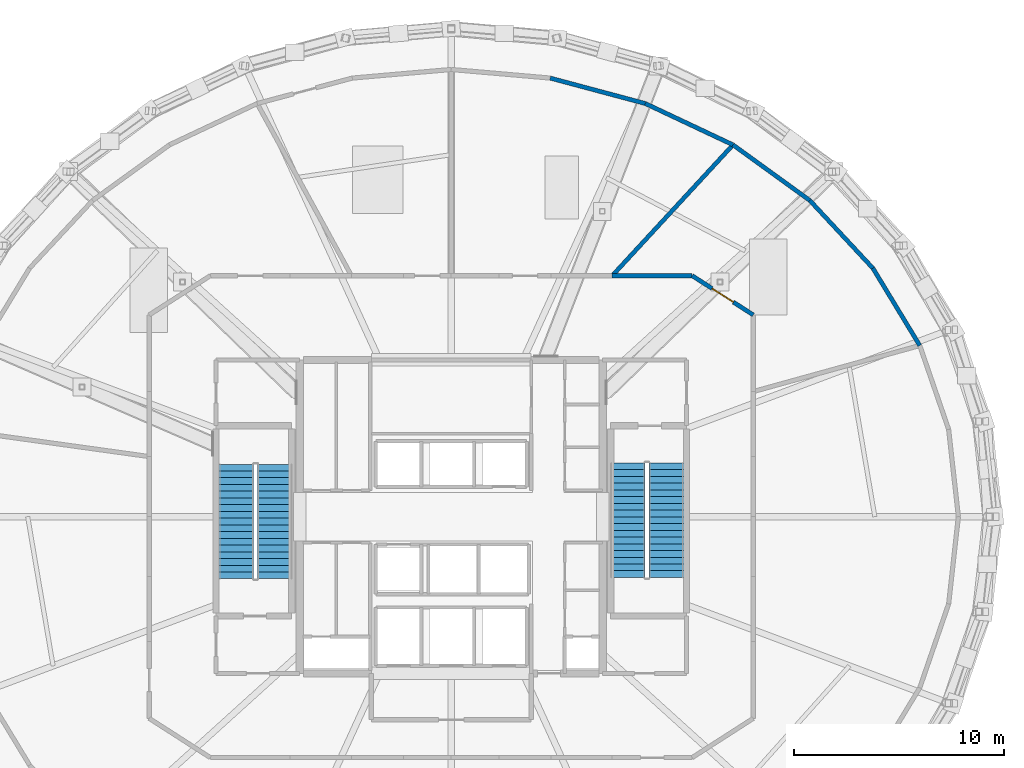
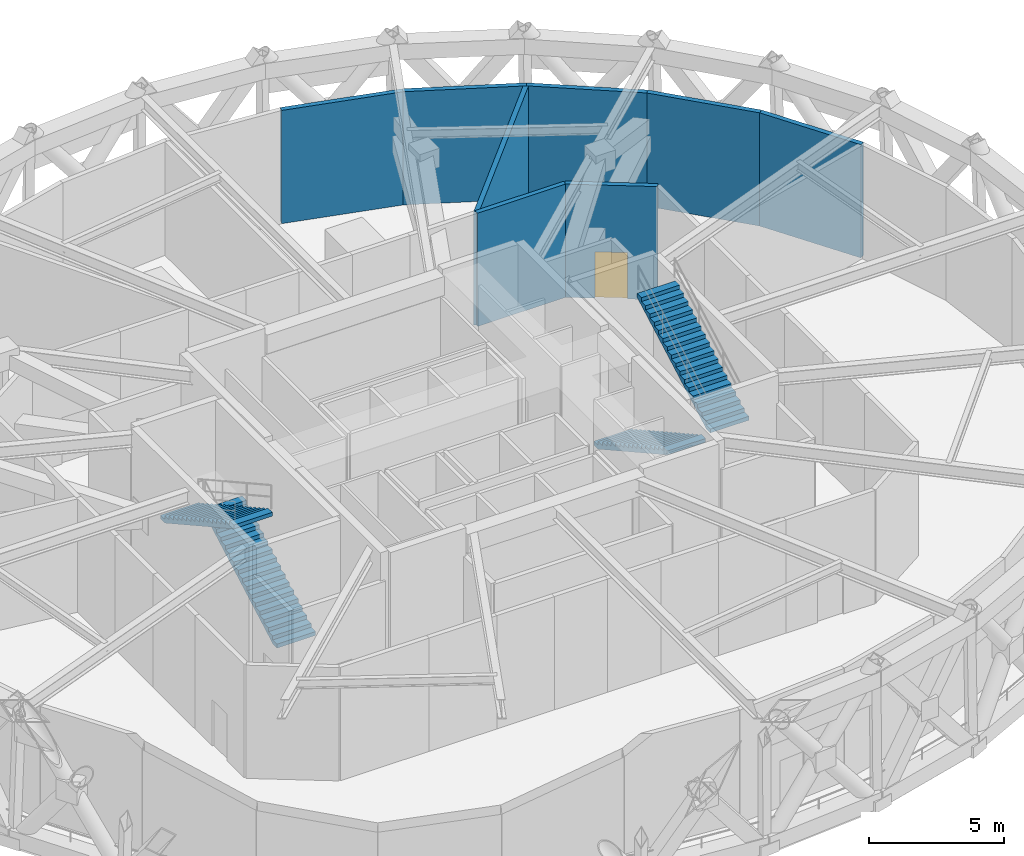
# One storey, part 11 of 15: 8 walls, 4 stair flights, 1 door, 1 opening, 2 elements without a shape of their own.
"""IFC4 building model written with IfcOpenShell, lengths in metres."""

from ifc_helpers import new_model, si_unit, direction, frame, frame_2d, origin, place, context, subcontext, project, spatial, polyline, rectangle, outline, extrude, material, layer, layer_set, type_object, element, fill, aggregate, save


model = new_model("IFC4")

# Units and contexts
model_context = context("Model", 3, precision=1e-05, world=origin(), true_north=direction((0.0, 1.0)))
body_context = subcontext(model_context, "Body", "Model", "MODEL_VIEW")
ifc_project = project(units=[si_unit("LENGTHUNIT", "METRE"), si_unit("AREAUNIT", "SQUARE_METRE"), si_unit("VOLUMEUNIT", "CUBIC_METRE"), si_unit("PLANEANGLEUNIT", "RADIAN"), si_unit("MASSUNIT", "GRAM", prefix="KILO")], contexts=[model_context])

# Site, building, storey
site_placement = place(None, origin())
site = spatial("IfcSite", under=ifc_project, at=site_placement, CompositionType="ELEMENT")
building_placement = place(site_placement, origin())
building = spatial("IfcBuilding", under=site, at=building_placement, Name="Veldorina Hangang Commons", CompositionType="ELEMENT")
storey_placement = place(building_placement, frame((0.0, 0.0, 208.39990234375)))
storey = spatial("IfcBuildingStorey", under=building, at=storey_placement, Name="L54", CompositionType="ELEMENT", Elevation=208.39990234375)

# Walls
ifc_material_1 = material(Name="Concrete Blockwork Fire Wall C30/37", Category="masonry")
ifc_layer = layer(ifc_material_1, 0.199951171875)
ifc_layer_set = layer_set([ifc_layer], Name="Concrete Blockwork Fire Wall C30/37")
wall_type = type_object("IfcWallType", Name="WL-FIRE-200", PredefinedType="SOLIDWALL", material=ifc_layer_set)
wall_1_placement = place(storey_placement, frame((54.265380859375, 32.132080078125, 0.0), z_axis=(0.0, 0.0, 1.0), x_axis=(-0.518384837447, 0.855147449452, 0.0)))
element("IfcWall", 1, at=wall_1_placement, inside=storey, type_object=wall_type, Name="L54 L54 wind-floor compartment wall 02 054", PredefinedType="SOLIDWALL", context=body_context, shape_type="SweptSolid", body=[
    extrude(rectangle(XDim=4.296142578125, YDim=0.199951171875, at=frame_2d((2.14794921875, 0.0))), origin(), (0.0, 0.0, 1.0), 5.130126953125),
])
wall_2_placement = place(storey_placement, frame((52.038330078125, 35.805908203125, 0.0), z_axis=(0.0, 0.0, 1.0), x_axis=(-0.681317030747, 0.731988458661, 0.0)))
element("IfcWall", 2, at=wall_2_placement, inside=storey, type_object=wall_type, Name="L54 L54 wind-floor compartment wall 03 055", PredefinedType="SOLIDWALL", context=body_context, shape_type="SweptSolid", body=[
    extrude(rectangle(XDim=4.39892578125, YDim=0.199951171875, at=frame_2d((2.199462890625, 0.0))), origin(), (0.0, 0.0, 1.0), 5.130126953125),
])
wall_3_placement = place(storey_placement, frame((49.041259765625, 39.02587890625, 0.0), z_axis=(0.0, 0.0, 1.0), x_axis=(-0.810131923704, 0.586247615088, 0.0)))
element("IfcWall", 3, at=wall_3_placement, inside=storey, type_object=wall_type, Name="L54 L54 wind-floor compartment wall 04 056", PredefinedType="SOLIDWALL", context=body_context, shape_type="SweptSolid", body=[
    extrude(rectangle(XDim=4.508056640625, YDim=0.199951171875, at=frame_2d((2.25390625, 0.0))), origin(), (0.0, 0.0, 1.0), 5.130126953125),
])
wall_4_placement = place(storey_placement, frame((45.38916015625, 41.668701171875, 0.0), z_axis=(0.0, 0.0, 1.0), x_axis=(-0.904574703116, 0.426315149253, 0.0)))
element("IfcWall", 4, at=wall_4_placement, inside=storey, type_object=wall_type, Name="L54 L54 wind-floor compartment wall 05 057", PredefinedType="SOLIDWALL", context=body_context, shape_type="SweptSolid", body=[
    extrude(rectangle(XDim=4.60595703125, YDim=0.199951171875, at=frame_2d((2.302978515625, 0.0))), origin(), (0.0, 0.0, 1.0), 5.130126953125),
])
wall_5_placement = place(storey_placement, frame((41.22265625, 43.63232421875, 0.0), z_axis=(0.0, 0.0, 1.0), x_axis=(-0.9660285601, 0.258435332473, 0.0)))
element("IfcWall", 5, at=wall_5_placement, inside=storey, type_object=wall_type, Name="L54 L54 wind-floor compartment wall 06 058", PredefinedType="SOLIDWALL", context=body_context, shape_type="SweptSolid", body=[
    extrude(rectangle(XDim=4.679931640625, YDim=0.199951171875, at=frame_2d((2.33984375, 0.0))), origin(), (0.0, 0.0, 1.0), 5.130126953125),
])

# Wall, opening, door
wall_6_placement = place(storey_placement, frame((46.35009765625, 33.58837890625, 0.0), z_axis=(0.0, 0.0, 1.0), x_axis=(-0.841548863049, 0.540180998464, 0.0)))
wall_6 = element("IfcWall", 6, at=wall_6_placement, inside=storey, type_object=wall_type, Name="L54 Plant corridor wall 03 087", PredefinedType="SOLIDWALL", context=body_context, shape_type="SweptSolid", body=[
    extrude(rectangle(XDim=3.4462890625, YDim=0.199951171875, at=frame_2d((1.72314453125, 0.0))), origin(), (0.0, 0.0, 1.0), 5.130126953125),
])
opening_placement = place(wall_6_placement, frame((1.123046875, 0.0, 0.0)))
opening = element("IfcOpeningElement", 7, at=opening_placement, cuts=wall_6, Name="Opening D-10", PredefinedType="OPENING", context=body_context, shape_type="SweptSolid", body=[
    extrude(rectangle(XDim=1.199951171875, YDim=2.10009765625, at=frame_2d((0.60009765625, 1.050048828125))), frame((0.0, 0.10986328125, 0.0), z_axis=(0.0, -1.0, 0.0), x_axis=(1.0, 0.0, 0.0)), (0.0, 0.0, 1.0), 0.219970703125),
])
ifc_material_2 = material(Name="Steel Heavy-Duty Acoustic Plant", Category="steel")
door_type = type_object("IfcDoorType", Name="DR-PLANT-1200", OperationType="SINGLE_SWING_RIGHT", PredefinedType="DOOR", material=ifc_material_2)
door_placement = place(opening_placement, origin())
door = element("IfcDoor", 8, at=door_placement, inside=storey, type_object=door_type, Name="L54 Chiller and Heat Exchanger Plant Room door 028", OperationType="SINGLE_SWING_RIGHT", OverallHeight=2.10009765625, OverallWidth=1.199951171875, PredefinedType="DOOR", context=body_context, shape_type="SweptSolid", body=[
    extrude(rectangle(XDim=1.199951171875, YDim=2.10009765625, at=frame_2d((0.60009765625, 1.050048828125))), frame((0.0, 0.02490234375, 0.0), z_axis=(0.0, -1.0, 0.0), x_axis=(1.0, 0.0, 0.0)), (0.0, 0.0, 1.0), 0.050048828125),
])
fill(opening, door)

# Walls
wall_7_placement = place(storey_placement, frame((43.449951171875, 35.449951171875, 0.0), z_axis=(0.0, 0.0, 1.0), x_axis=(-1.0, 0.0, 0.0)))
element("IfcWall", 9, at=wall_7_placement, inside=storey, type_object=wall_type, Name="L54 Plant corridor wall 04 088", PredefinedType="SOLIDWALL", context=body_context, shape_type="SweptSolid", body=[
    extrude(rectangle(XDim=3.79931640625, YDim=0.199951171875, at=frame_2d((1.899658203125, 0.0))), origin(), (0.0, 0.0, 1.0), 5.130126953125),
])
wall_8_placement = place(storey_placement, frame((39.650634765625, 35.449951171875, 0.0), z_axis=(0.0, 0.0, 1.0), x_axis=(0.678161460471, 0.734912942825, 0.0)))
element("IfcWall", 10, at=wall_8_placement, inside=storey, type_object=wall_type, Name="L54 Air Handling Unit Mechanical Plant Room divider 118", PredefinedType="SOLIDWALL", context=body_context, shape_type="SweptSolid", body=[
    extrude(rectangle(XDim=8.4619140625, YDim=0.199951171875, at=frame_2d((4.23095703125, 0.0))), origin(), (0.0, 0.0, 1.0), 5.130126953125),
])

# Stair, stair flights
ifc_material_3 = material(Name="Concrete C40/50", Category="concrete")
stair_type = type_object("IfcStairType", Name="STR-DOG-1650-36R", PredefinedType="HALF_TURN_STAIR", material=ifc_material_3)
stair_1_placement = place(storey_placement, origin())
stair_1 = element("IfcStair", 11, at=stair_1_placement, inside=storey, type_object=stair_type, Name="L54 Exit stair ST-1", PredefinedType="HALF_TURN_STAIR")
stair_flight_type = type_object("IfcStairFlightType", Name="SFL-STR-1650-36R", PredefinedType="STRAIGHT", material=ifc_material_3)
stair_flight_1_placement = place(storey_placement, frame((23.625, 21.050048828125, 0.0), z_axis=(0.0, 0.0, 1.0), x_axis=(0.0, 1.0, 0.0)))
stair_flight_1 = element("IfcStairFlight", 12, at=stair_flight_1_placement, type_object=stair_flight_type, Name="ST-1 flight 1", NumberOfRisers=18, NumberOfTreads=17, PredefinedType="STRAIGHT", RiserHeight=0.177777778, TreadLength=0.32, context=body_context, shape_type="SweptSolid", body=[
    extrude(outline(polyline([(0.0, 0.0), (0.0, 0.177734375), (0.320068359375, 0.177734375), (0.320068359375, 0.35546875), (0.639892578125, 0.35546875), (0.639892578125, 0.533447265625), (0.9599609375, 0.533447265625), (0.9599609375, 0.711181640625), (1.280029296875, 0.711181640625), (1.280029296875, 0.888916015625), (1.60009765625, 0.888916015625), (1.60009765625, 1.066650390625), (1.919921875, 1.066650390625), (1.919921875, 1.244384765625), (2.239990234375, 1.244384765625), (2.239990234375, 1.422119140625), (2.56005859375, 1.422119140625), (2.56005859375, 1.60009765625), (2.8798828125, 1.60009765625), (2.8798828125, 1.77783203125), (3.199951171875, 1.77783203125), (3.199951171875, 1.95556640625), (3.52001953125, 1.95556640625), (3.52001953125, 2.13330078125), (3.840087890625, 2.13330078125), (3.840087890625, 2.31103515625), (4.159912109375, 2.31103515625), (4.159912109375, 2.48876953125), (4.47998046875, 2.48876953125), (4.47998046875, 2.666748046875), (4.800048828125, 2.666748046875), (4.800048828125, 2.844482421875), (5.1201171875, 2.844482421875), (5.1201171875, 3.022216796875), (5.43994140625, 3.022216796875), (5.43994140625, 3.199951171875), (5.43994140625, 2.850830078125), (0.30859375, 0.0), (0.0, 0.0)])), frame((0.0, 0.824951171875, 0.0), z_axis=(0.0, -1.0, 0.0), x_axis=(1.0, 0.0, 0.0)), (0.0, 0.0, 1.0), 1.64990234375),
])
stair_flight_2_placement = place(storey_placement, frame((21.77490234375, 26.489990234375, 3.2001953125), z_axis=(0.0, 0.0, 1.0), x_axis=(0.0, -1.0, 0.0)))
stair_flight_2 = element("IfcStairFlight", 13, at=stair_flight_2_placement, type_object=stair_flight_type, Name="ST-1 flight 2", NumberOfRisers=18, NumberOfTreads=17, PredefinedType="STRAIGHT", RiserHeight=0.177777778, TreadLength=0.32, context=body_context, shape_type="SweptSolid", body=[
    extrude(outline(polyline([(0.0, 0.0), (0.0, 0.177734375), (0.320068359375, 0.177734375), (0.320068359375, 0.35546875), (0.639892578125, 0.35546875), (0.639892578125, 0.533447265625), (0.9599609375, 0.533447265625), (0.9599609375, 0.711181640625), (1.280029296875, 0.711181640625), (1.280029296875, 0.888916015625), (1.60009765625, 0.888916015625), (1.60009765625, 1.066650390625), (1.919921875, 1.066650390625), (1.919921875, 1.244384765625), (2.239990234375, 1.244384765625), (2.239990234375, 1.422119140625), (2.56005859375, 1.422119140625), (2.56005859375, 1.60009765625), (2.8798828125, 1.60009765625), (2.8798828125, 1.77783203125), (3.199951171875, 1.77783203125), (3.199951171875, 1.95556640625), (3.52001953125, 1.95556640625), (3.52001953125, 2.13330078125), (3.840087890625, 2.13330078125), (3.840087890625, 2.31103515625), (4.159912109375, 2.31103515625), (4.159912109375, 2.48876953125), (4.47998046875, 2.48876953125), (4.47998046875, 2.666748046875), (4.800048828125, 2.666748046875), (4.800048828125, 2.844482421875), (5.1201171875, 2.844482421875), (5.1201171875, 3.022216796875), (5.43994140625, 3.022216796875), (5.43994140625, 3.199951171875), (5.43994140625, 2.850830078125), (0.30859375, 0.0), (0.0, 0.0)])), frame((0.0, 0.824951171875, 0.0), z_axis=(0.0, -1.0, 0.0), x_axis=(1.0, 0.0, 0.0)), (0.0, 0.0, 1.0), 1.64990234375),
])
aggregate(stair_1, [stair_flight_1, stair_flight_2])

stair_2_placement = place(storey_placement, origin())
stair_2 = element("IfcStair", 14, at=stair_2_placement, inside=storey, type_object=stair_type, Name="L54 Exit stair ST-2", PredefinedType="HALF_TURN_STAIR")
stair_flight_3_placement = place(storey_placement, frame((40.375, 26.550048828125, 0.0), z_axis=(0.0, 0.0, 1.0), x_axis=(0.0, -1.0, 0.0)))
stair_flight_3 = element("IfcStairFlight", 15, at=stair_flight_3_placement, type_object=stair_flight_type, Name="ST-2 flight 1", NumberOfRisers=18, NumberOfTreads=17, PredefinedType="STRAIGHT", RiserHeight=0.177777778, TreadLength=0.32, context=body_context, shape_type="SweptSolid", body=[
    extrude(outline(polyline([(0.0, 0.0), (0.0, 0.177734375), (0.320068359375, 0.177734375), (0.320068359375, 0.35546875), (0.639892578125, 0.35546875), (0.639892578125, 0.533447265625), (0.9599609375, 0.533447265625), (0.9599609375, 0.711181640625), (1.280029296875, 0.711181640625), (1.280029296875, 0.888916015625), (1.60009765625, 0.888916015625), (1.60009765625, 1.066650390625), (1.919921875, 1.066650390625), (1.919921875, 1.244384765625), (2.239990234375, 1.244384765625), (2.239990234375, 1.422119140625), (2.56005859375, 1.422119140625), (2.56005859375, 1.60009765625), (2.8798828125, 1.60009765625), (2.8798828125, 1.77783203125), (3.199951171875, 1.77783203125), (3.199951171875, 1.95556640625), (3.52001953125, 1.95556640625), (3.52001953125, 2.13330078125), (3.840087890625, 2.13330078125), (3.840087890625, 2.31103515625), (4.159912109375, 2.31103515625), (4.159912109375, 2.48876953125), (4.47998046875, 2.48876953125), (4.47998046875, 2.666748046875), (4.800048828125, 2.666748046875), (4.800048828125, 2.844482421875), (5.1201171875, 2.844482421875), (5.1201171875, 3.022216796875), (5.43994140625, 3.022216796875), (5.43994140625, 3.199951171875), (5.43994140625, 2.850830078125), (0.30859375, 0.0), (0.0, 0.0)])), frame((0.0, 0.824951171875, 0.0), z_axis=(0.0, -1.0, 0.0), x_axis=(1.0, 0.0, 0.0)), (0.0, 0.0, 1.0), 1.64990234375),
])
stair_flight_4_placement = place(storey_placement, frame((42.22509765625, 21.110107421875, 3.2001953125), z_axis=(0.0, 0.0, 1.0), x_axis=(0.0, 1.0, 0.0)))
stair_flight_4 = element("IfcStairFlight", 16, at=stair_flight_4_placement, type_object=stair_flight_type, Name="ST-2 flight 2", NumberOfRisers=18, NumberOfTreads=17, PredefinedType="STRAIGHT", RiserHeight=0.177777778, TreadLength=0.32, context=body_context, shape_type="SweptSolid", body=[
    extrude(outline(polyline([(0.0, 0.0), (0.0, 0.177734375), (0.320068359375, 0.177734375), (0.320068359375, 0.35546875), (0.639892578125, 0.35546875), (0.639892578125, 0.533447265625), (0.9599609375, 0.533447265625), (0.9599609375, 0.711181640625), (1.280029296875, 0.711181640625), (1.280029296875, 0.888916015625), (1.60009765625, 0.888916015625), (1.60009765625, 1.066650390625), (1.919921875, 1.066650390625), (1.919921875, 1.244384765625), (2.239990234375, 1.244384765625), (2.239990234375, 1.422119140625), (2.56005859375, 1.422119140625), (2.56005859375, 1.60009765625), (2.8798828125, 1.60009765625), (2.8798828125, 1.77783203125), (3.199951171875, 1.77783203125), (3.199951171875, 1.95556640625), (3.52001953125, 1.95556640625), (3.52001953125, 2.13330078125), (3.840087890625, 2.13330078125), (3.840087890625, 2.31103515625), (4.159912109375, 2.31103515625), (4.159912109375, 2.48876953125), (4.47998046875, 2.48876953125), (4.47998046875, 2.666748046875), (4.800048828125, 2.666748046875), (4.800048828125, 2.844482421875), (5.1201171875, 2.844482421875), (5.1201171875, 3.022216796875), (5.43994140625, 3.022216796875), (5.43994140625, 3.199951171875), (5.43994140625, 2.850830078125), (0.30859375, 0.0), (0.0, 0.0)])), frame((0.0, 0.824951171875, 0.0), z_axis=(0.0, -1.0, 0.0), x_axis=(1.0, 0.0, 0.0)), (0.0, 0.0, 1.0), 1.64990234375),
])
aggregate(stair_2, [stair_flight_3, stair_flight_4])

save(model, "model.ifc")
